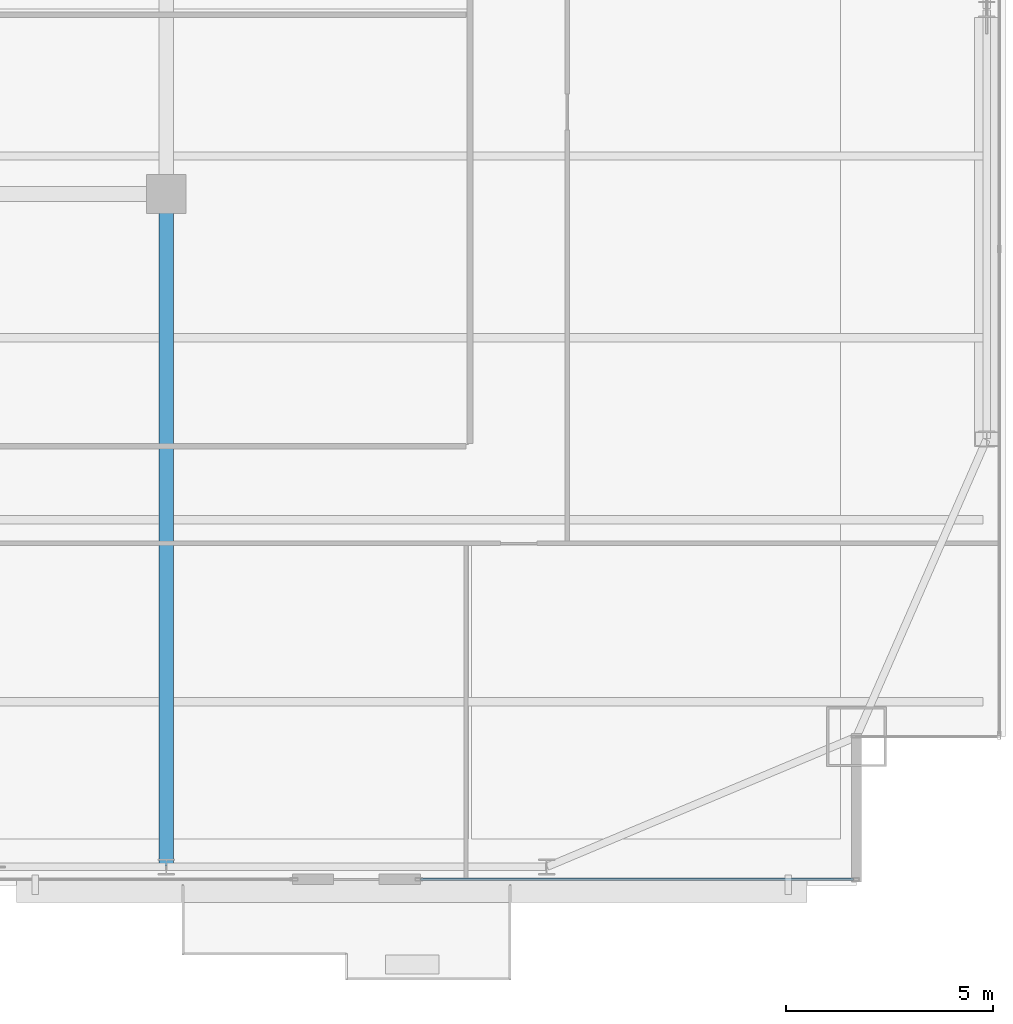
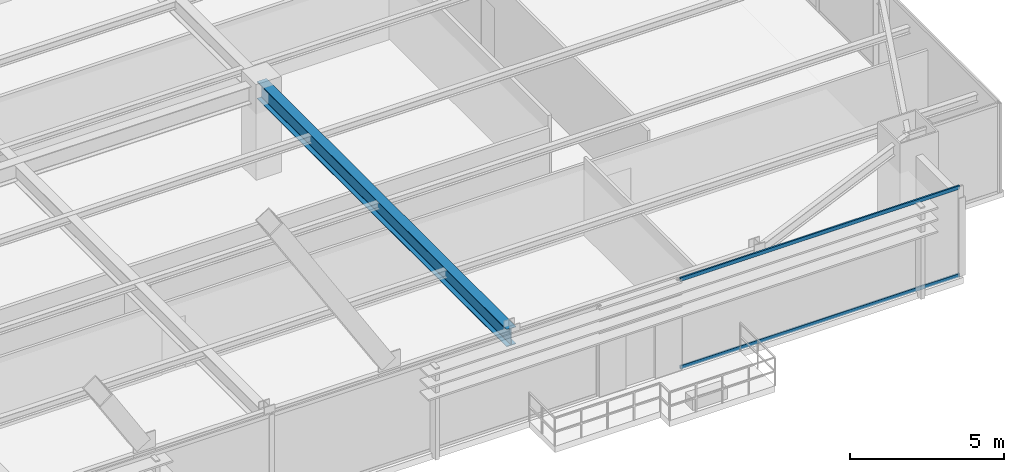
# One storey, part 13 of 37: 2 members, 1 beam, 1 element without a shape of its own.
"""IFC4 building model written with IfcOpenShell, lengths in metres."""

import ifcopenshell
import ifcopenshell.guid

model = None  # the IFC model being written
_history = None  # IfcOwnerHistory: only IFC2X3 demands one
_inside = {}  # id of a spatial element -> (the spatial element, [elements in it])
_under = {}  # id of a project, library or spatial element -> (it, [spatial elements below it])
_declared = {}  # id of a project -> (the project, [libraries it declares])
_typed = {}  # id of a type object -> (the type object, [elements of that type])
_made_of = {}  # id of a material, layer set ... -> (it, [elements and type objects made of it])


def new_model(schema):
    """Start an empty IFC model of exactly this schema.

    Asked for "IFC4X3", IfcOpenShell would pick the latest addendum, in which some entities
    have other attributes; the version numbers below select the first issue.
    IFC2X3 requires an IfcOwnerHistory on every rooted entity: one is made here for all.
    """
    global model, _history
    if schema == "IFC4X3":
        model = ifcopenshell.file(schema_version=(4, 3, 0, 0))
    else:
        model = ifcopenshell.file(schema=schema)
    _inside.clear()
    _under.clear()
    _declared.clear()
    _typed.clear()
    _made_of.clear()
    _history = None
    if model.schema == "IFC2X3":
        org = make("IfcOrganization", Name="unknown")
        user = make(
            "IfcPersonAndOrganization",
            ThePerson=make("IfcPerson", FamilyName="unknown"),
            TheOrganization=org,
        )
        app = make(
            "IfcApplication",
            ApplicationDeveloper=org,
            Version="unknown",
            ApplicationFullName="unknown",
            ApplicationIdentifier="unknown",
        )
        _history = make(
            "IfcOwnerHistory",
            OwningUser=user,
            OwningApplication=app,
            ChangeAction="ADDED",
            CreationDate=0,
        )
    return model


def make(cls, **values):
    """One entity of the class cls with the attributes given. An attribute that is None is left unset."""
    return model.create_entity(
        cls, **{name: value for name, value in values.items() if value is not None}
    )


def rooted(cls, **values):
    """An entity with a GlobalId (a new one), such as an element, a storey or a relation."""
    return make(cls, GlobalId=ifcopenshell.guid.new(), OwnerHistory=_history, **values)


def si_unit(unit_type, name, prefix=None):
    """IfcSIUnit, for example si_unit("LENGTHUNIT", "METRE", prefix="MILLI")."""
    return make("IfcSIUnit", UnitType=unit_type, Prefix=prefix, Name=name)


def assignment(units):
    """IfcUnitAssignment: the units of a project."""
    return None if units is None else make("IfcUnitAssignment", Units=units)


def point(xyz):
    """IfcCartesianPoint."""
    return None if xyz is None else make("IfcCartesianPoint", Coordinates=xyz)


def direction(xyz):
    """IfcDirection."""
    return None if xyz is None else make("IfcDirection", DirectionRatios=xyz)


def frame(location, z_axis=None, x_axis=None):
    """IfcAxis2Placement3D, a coordinate frame: its origin and axes. An axis left out is left unset."""
    return make(
        "IfcAxis2Placement3D",
        Location=point(location),
        Axis=direction(z_axis),
        RefDirection=direction(x_axis),
    )


def frame_2d(location, x_axis=None):
    """IfcAxis2Placement2D, a coordinate frame in the plane: its origin and x axis."""
    return make(
        "IfcAxis2Placement2D", Location=point(location), RefDirection=direction(x_axis)
    )


def origin():
    """The frame at (0, 0, 0) with its axes left unset."""
    return frame((0.0, 0.0, 0.0))


def origin_2d():
    """The frame at (0, 0) in the plane with its x axis left unset."""
    return frame_2d((0.0, 0.0))


def place(relative_to, where):
    """IfcLocalPlacement: puts the frame where relative to a parent placement (None: the world)."""
    return make(
        "IfcLocalPlacement", PlacementRelTo=relative_to, RelativePlacement=where
    )


def context(
    kind, dimensions, precision=None, world=None, true_north=None, identifier=None
):
    """IfcGeometricRepresentationContext, for example the 3D "Model" context."""
    return make(
        "IfcGeometricRepresentationContext",
        ContextIdentifier=identifier,
        ContextType=kind,
        CoordinateSpaceDimension=dimensions,
        Precision=precision,
        WorldCoordinateSystem=world,
        TrueNorth=true_north,
    )


def subcontext(parent, identifier, kind, view, scale=None):
    """IfcGeometricRepresentationSubContext, for example "Body" below "Model"."""
    return make(
        "IfcGeometricRepresentationSubContext",
        ContextIdentifier=identifier,
        ContextType=kind,
        ParentContext=parent,
        TargetScale=scale,
        TargetView=view,
    )


def project(units=None, contexts=None):
    """IfcProject with its units and contexts."""
    return rooted(
        "IfcProject",
        Name="project",
        RepresentationContexts=contexts,
        UnitsInContext=assignment(units),
    )


def spatial(cls, under=None, at=None, **own):
    """A site, building, storey or space (cls), placed at a placement, below another one or the project."""
    s = rooted(cls, ObjectPlacement=at, **own)
    if under is not None:
        _under.setdefault(under.id(), (under, []))[1].append(s)
    return s


def profile(cls, at=None, kind="AREA", **sizes):
    """A parametric profile (cls). Its sizes go by their IFC names, for example OverallWidth=200.0."""
    return make(cls, ProfileType=kind, Position=at, **sizes)


def hollow_rectangle(**sizes):
    """IfcRectangleHollowProfileDef."""
    return profile("IfcRectangleHollowProfileDef", **sizes)


def i_section(**sizes):
    """IfcIShapeProfileDef."""
    return profile("IfcIShapeProfileDef", **sizes)


def extrude(swept, where, along, depth):
    """IfcExtrudedAreaSolid: the profile swept, set in the frame where, extruded along a direction by depth."""
    return make(
        "IfcExtrudedAreaSolid",
        SweptArea=swept,
        Position=where,
        ExtrudedDirection=direction(along),
        Depth=depth,
    )


def shape(context_of_items, identifier, shape_type, items):
    """IfcShapeRepresentation: the items that make up one representation, for example the "Body"."""
    return make(
        "IfcShapeRepresentation",
        ContextOfItems=context_of_items,
        RepresentationIdentifier=identifier,
        RepresentationType=shape_type,
        Items=items,
    )


def source(mapping_origin, context_of_items, identifier, shape_type, items):
    """IfcRepresentationMap: a shape defined once, which mapped items show again and again."""
    return make(
        "IfcRepresentationMap",
        MappingOrigin=mapping_origin,
        MappedRepresentation=shape(context_of_items, identifier, shape_type, items),
    )


def transform(
    local_origin,
    x_axis=None,
    y_axis=None,
    z_axis=None,
    scale=None,
    scale2=None,
    scale3=None,
    uniform=True,
):
    """IfcCartesianTransformationOperator3D, or its non-uniform kind. x_axis, y_axis, z_axis: its Axis1, 2, 3."""
    if uniform:
        return make(
            "IfcCartesianTransformationOperator3D",
            Axis1=direction(x_axis),
            Axis2=direction(y_axis),
            LocalOrigin=point(local_origin),
            Scale=scale,
            Axis3=direction(z_axis),
        )
    return make(
        "IfcCartesianTransformationOperator3DnonUniform",
        Axis1=direction(x_axis),
        Axis2=direction(y_axis),
        LocalOrigin=point(local_origin),
        Scale=scale,
        Axis3=direction(z_axis),
        Scale2=scale2,
        Scale3=scale3,
    )


def mapped(mapping_source, mapping_target):
    """IfcMappedItem: shows the shape of a source again, moved by a transform."""
    return make(
        "IfcMappedItem", MappingSource=mapping_source, MappingTarget=mapping_target
    )


def material(Name=None, Category=None):
    """IfcMaterial."""
    return make("IfcMaterial", Name=Name, Category=Category)


def layer(
    of_material, thickness, ventilated=None, Name=None, Category=None, Priority=None
):
    """IfcMaterialLayer: one layer of a wall or slab, of a material (None: an air gap)."""
    return make(
        "IfcMaterialLayer",
        Material=of_material,
        LayerThickness=thickness,
        IsVentilated=ventilated,
        Name=Name,
        Category=Category,
        Priority=Priority,
    )


def layer_set(layers, Name=None):
    """IfcMaterialLayerSet."""
    return make("IfcMaterialLayerSet", MaterialLayers=layers, LayerSetName=Name)


def material_profile(
    of_material, cross_section, Name=None, Category=None, Priority=None
):
    """IfcMaterialProfile: a cross section and its material."""
    return make(
        "IfcMaterialProfile",
        Name=Name,
        Material=of_material,
        Profile=cross_section,
        Priority=Priority,
        Category=Category,
    )


def profile_set(profiles, Name=None, composite=None):
    """IfcMaterialProfileSet."""
    return make(
        "IfcMaterialProfileSet",
        Name=Name,
        MaterialProfiles=profiles,
        CompositeProfile=composite,
    )


def made_of(thing, what):
    """Note that an element or type object is made of a material, layer set ...; save() writes the relation."""
    if what is not None:
        _made_of.setdefault(what.id(), (what, []))[1].append(thing)
    return thing


def type_object(cls, material=None, **own):
    """A type object (cls), such as IfcWallType, which elements share."""
    return made_of(rooted(cls, **own), material)


def type_shapes(of_type, sources):
    """Give a type object the sources (RepresentationMaps) that its elements show as mapped items."""
    of_type.RepresentationMaps = sources


def element(
    cls,
    number,
    at=None,
    inside=None,
    cuts=None,
    type_object=None,
    material=None,
    context=None,
    identifier="Body",
    shape_type=None,
    held_by="IfcProductDefinitionShape",
    body=None,
    shapes=None,
    **own,
):
    """One element of the class cls, such as IfcWall. Its Tag is "e" and its number.

    at: its placement. inside: the storey or other place that contains it. cuts: it is an
    opening in that element (IfcRelVoidsElement). A single representation is given by context,
    identifier, shape_type and body (its items); several are given by shapes. held_by: the class
    of the entity that holds the representations. save() writes the other relations.
    """
    e = rooted(cls, Tag="e%d" % number, ObjectPlacement=at, **own)
    if body is not None:
        shapes = [shape(context, identifier, shape_type, body)]
    if shapes is not None:
        e.Representation = make(held_by, Representations=shapes)
    if inside is not None:
        _inside.setdefault(inside.id(), (inside, []))[1].append(e)
    if cuts is not None:
        rooted(
            "IfcRelVoidsElement", RelatingBuildingElement=cuts, RelatedOpeningElement=e
        )
    if type_object is not None:
        _typed.setdefault(type_object.id(), (type_object, []))[1].append(e)
    return made_of(e, material)


def aggregate(whole, parts):
    """IfcRelAggregates: a whole, such as a stair, and the parts it consists of."""
    return rooted("IfcRelAggregates", RelatingObject=whole, RelatedObjects=parts)


def save(model, path):
    """Write the relations noted so far, then the file.

    IfcRelAggregates (storeys below a building ...), IfcRelContainedInSpatialStructure (elements
    in a storey), IfcRelDefinesByType, IfcRelAssociatesMaterial and IfcRelDeclares: one each for
    every whole, place, type object, material and project.
    """
    for whole, parts in _under.values():
        aggregate(whole, parts)
    for where, things in _inside.values():
        rooted(
            "IfcRelContainedInSpatialStructure",
            RelatedElements=things,
            RelatingStructure=where,
        )
    for kind, things in _typed.values():
        rooted("IfcRelDefinesByType", RelatedObjects=things, RelatingType=kind)
    for what, things in _made_of.values():
        rooted("IfcRelAssociatesMaterial", RelatedObjects=things, RelatingMaterial=what)
    for by, libraries in _declared.values():
        rooted("IfcRelDeclares", RelatingContext=by, RelatedDefinitions=libraries)
    model.write(path)


model = new_model("IFC4")

# Units and contexts
model_context = context("Model", 3, precision=1e-05, world=origin(), true_north=direction((0.0, 1.0)))
body_context = subcontext(model_context, "Body", "Model", "MODEL_VIEW")
ifc_project = project(units=[si_unit("LENGTHUNIT", "METRE"), si_unit("AREAUNIT", "SQUARE_METRE"), si_unit("VOLUMEUNIT", "CUBIC_METRE"), si_unit("PLANEANGLEUNIT", "RADIAN"), si_unit("MASSUNIT", "GRAM", prefix="KILO")], contexts=[model_context])

# Site, building, storey
site_placement = place(None, origin())
site = spatial("IfcSite", under=ifc_project, at=site_placement, CompositionType="ELEMENT")
building_placement = place(site_placement, origin())
building = spatial("IfcBuilding", under=site, at=building_placement, Name="Varnel Quay Broadcast Tower", CompositionType="ELEMENT")
storey_placement = place(building_placement, frame((0.0, 0.0, 106.800048828125)))
storey = spatial("IfcBuildingStorey", under=building, at=storey_placement, Name="L25", CompositionType="ELEMENT", Elevation=106.800048828125)

# Beam
ifc_material_1 = material(Name="Structural Steel CSA G40.21 350W", Category="steel")
ifc_material_profile_1 = material_profile(ifc_material_1, i_section(OverallWidth=0.35498046875, OverallDepth=0.695068359375, WebThickness=0.015380859375, FlangeThickness=0.02490234375, FilletRadius=0.01806640625, at=origin_2d()), Name="W690X217")
ifc_profile_set_1 = profile_set([ifc_material_profile_1], Name="Structural Steel CSA G40.21 350W")
beam_type = type_object("IfcBeamType", Name="Girder_W690X217", PredefinedType="BEAM", material=ifc_profile_set_1)
shared_shape_1 = source(origin(), body_context, "Body", "SweptSolid", [
    extrude(i_section(OverallWidth=0.35498046875, OverallDepth=0.695068359375, WebThickness=0.015380859375, FlangeThickness=0.02490234375, FilletRadius=0.01806640625, at=origin_2d()), origin(), (0.0, 0.0, 1.0), 16.239990234375),
])
type_shapes(beam_type, [shared_shape_1])
beam_placement = place(storey_placement, frame((43.199951171875, 4.669921875, 3.202392578125), z_axis=(0.0, 1.0, 0.0), x_axis=(-1.0, 0.0, 0.0)))
element("IfcBeam", 1, at=beam_placement, inside=storey, type_object=beam_type, Name="L25 Primary Girder TC-S4-IC-02", PredefinedType="BEAM", context=body_context, shape_type="MappedRepresentation", body=[
    mapped(shared_shape_1, transform((0.0, 0.0, 0.0), x_axis=(1.0, 0.0, 0.0), y_axis=(0.0, 1.0, 0.0), z_axis=(0.0, 0.0, 1.0), scale=1.0)),
])

# Curtain wall, members
ifc_material_2 = material(Name="Anodised Bronze Aluminium 6063-T6", Category="aluminium")
ifc_layer = layer(ifc_material_2, 0.18994140625, Name="Anodised Bronze Aluminium 6063-T6")
ifc_layer_set = layer_set([ifc_layer], Name="Anodised Bronze Aluminium 6063-T6")
curtain_wall_type = type_object("IfcCurtainWallType", Name="CW_LowerTower", PredefinedType="NOTDEFINED", material=ifc_layer_set)
curtain_wall_placement = place(storey_placement, origin())
curtain_wall = element("IfcCurtainWall", 2, at=curtain_wall_placement, inside=storey, type_object=curtain_wall_type, Name="L25 South Unitised Curtain Wall 3", PredefinedType="NOTDEFINED")
ifc_material_profile_2 = material_profile(ifc_material_2, hollow_rectangle(XDim=0.06005859375, YDim=0.14501953125, WallThickness=0.00341796875, at=origin_2d()), Name="ALU60X145X3.5")
ifc_profile_set_2 = profile_set([ifc_material_profile_2], Name="Anodised Bronze Aluminium 6063-T6")
member_type = type_object("IfcMemberType", Name="Tran_CWS-02", PredefinedType="USERDEFINED", material=ifc_profile_set_2)
shared_shape_2 = source(origin(), body_context, "Body", "SweptSolid", [
    extrude(hollow_rectangle(XDim=0.06005859375, YDim=0.14501953125, WallThickness=0.00341796875, at=origin_2d()), origin(), (0.0, 0.0, 1.0), 10.47998046875),
])
type_shapes(member_type, [shared_shape_2])
member_1_placement = place(storey_placement, frame((49.35009765625, 4.35009765625, 0.030029296875), z_axis=(1.0, 0.0, 0.0), x_axis=(0.0, 1.0, 0.0)))
member_1 = element("IfcMember", 3, at=member_1_placement, type_object=member_type, Name="CWS-02 transom 1.1", ObjectType="TRANSOM", PredefinedType="USERDEFINED", context=body_context, shape_type="MappedRepresentation", body=[
    mapped(shared_shape_2, transform((0.0, 0.0, 0.0), x_axis=(1.0, 0.0, 0.0), y_axis=(0.0, 1.0, 0.0), z_axis=(0.0, 0.0, 1.0), scale=1.0)),
])
member_2_placement = place(storey_placement, frame((49.35009765625, 4.35009765625, 3.52001953125), z_axis=(1.0, 0.0, 0.0), x_axis=(0.0, 1.0, 0.0)))
member_2 = element("IfcMember", 4, at=member_2_placement, type_object=member_type, Name="CWS-02 transom 1.2", ObjectType="TRANSOM", PredefinedType="USERDEFINED", context=body_context, shape_type="MappedRepresentation", body=[
    mapped(shared_shape_2, transform((0.0, 0.0, 0.0), x_axis=(1.0, 0.0, 0.0), y_axis=(0.0, 1.0, 0.0), z_axis=(0.0, 0.0, 1.0), scale=1.0)),
])
aggregate(curtain_wall, [member_1, member_2])

save(model, "model.ifc")
